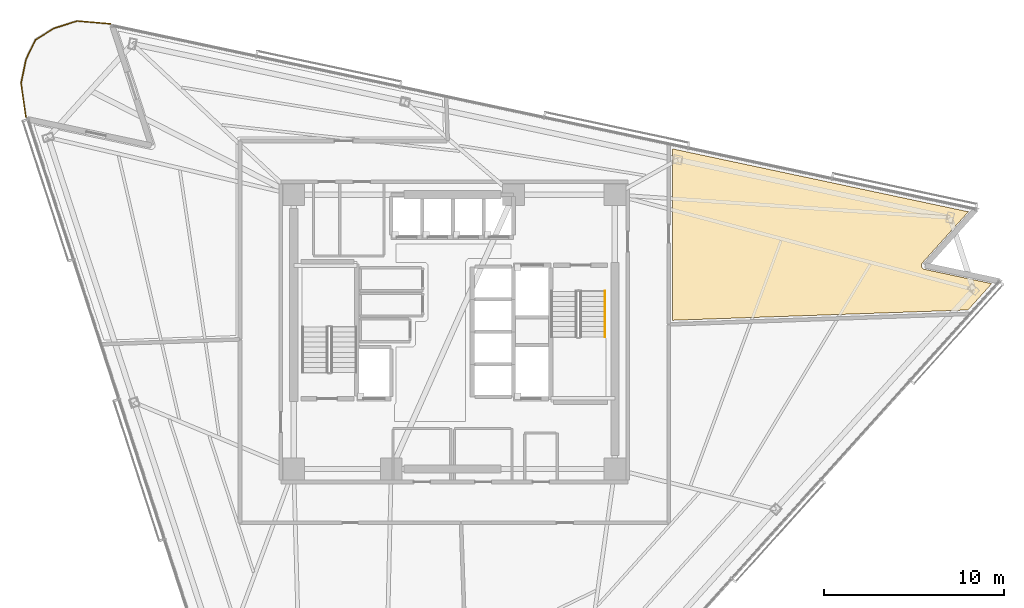
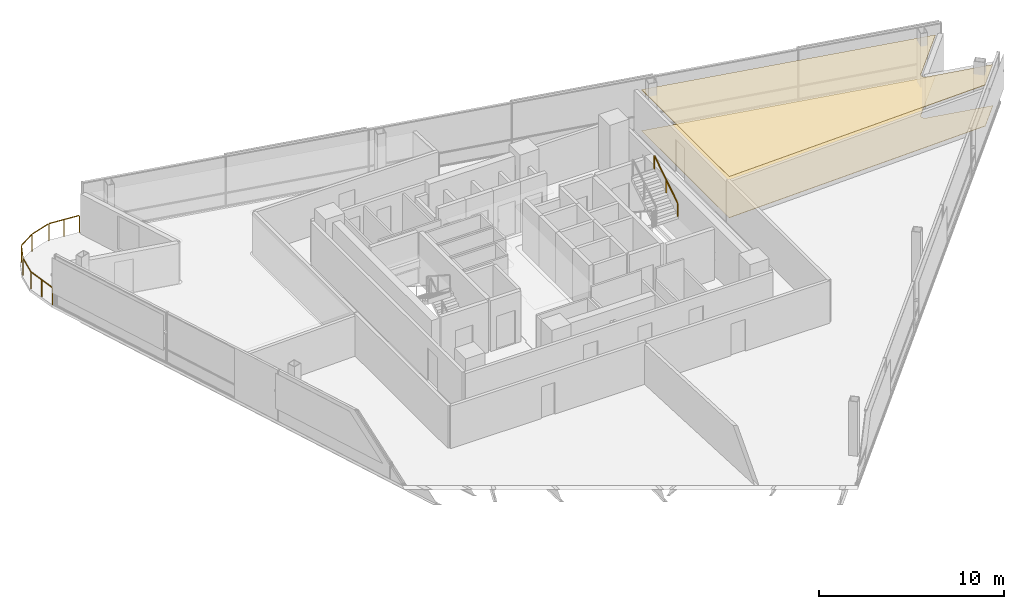
# One storey, part 17 of 17: 2 coverings, 2 railings.
"""IFC4 building model written with IfcOpenShell, lengths in metres."""

from ifc_helpers import new_model, si_unit, direction, frame, origin, origin_2d, place, context, subcontext, project, spatial, polyline, rectangle, outline, extrude, material, layer, layer_set, type_object, element, save


model = new_model("IFC4")

# Units and contexts
model_context = context("Model", 3, precision=1e-05, world=origin(), true_north=direction((0.0, 1.0)))
body_context = subcontext(model_context, "Body", "Model", "MODEL_VIEW")
ifc_project = project(units=[si_unit("LENGTHUNIT", "METRE"), si_unit("AREAUNIT", "SQUARE_METRE"), si_unit("VOLUMEUNIT", "CUBIC_METRE"), si_unit("PLANEANGLEUNIT", "RADIAN"), si_unit("MASSUNIT", "GRAM", prefix="KILO")], contexts=[model_context])

# Site, building, storey
site_placement = place(None, origin())
site = spatial("IfcSite", under=ifc_project, at=site_placement, CompositionType="ELEMENT")
building_placement = place(site_placement, origin())
building = spatial("IfcBuilding", under=site, at=building_placement, Name="Tharavind Bronze Gate", CompositionType="ELEMENT")
storey_placement = place(building_placement, frame((0.0, 0.0, 218.449951171875)))
storey = spatial("IfcBuildingStorey", under=building, at=storey_placement, Name="L56", CompositionType="ELEMENT", Elevation=218.449951171875)

# Coverings
ifc_material_1 = material(Name="Engineered Oak & Carpet Tile", Category="wood")
ifc_layer_1 = layer(ifc_material_1, 0.02490234375)
ifc_layer_set_1 = layer_set([ifc_layer_1], Name="Engineered Oak & Carpet Tile")
covering_type_1 = type_object("IfcCoveringType", Name="ENGINEERED TIMBER FLOORING", PredefinedType="FLOORING", material=ifc_layer_set_1)
covering_1_placement = place(storey_placement, origin())
element("IfcCovering", 1, at=covering_1_placement, inside=storey, type_object=covering_type_1, Name="L56-RM-01 floor finish", PredefinedType="FLOORING", context=body_context, shape_type="SweptSolid", body=[
    extrude(outline(polyline([(12.10009765625, 0.642578125), (28.4658203125, 1.214111328125), (29.781005859375, 2.674560546875), (26.057861328125, 3.466064453125), (26.047119140625, 3.468505859375), (26.04638671875, 3.46875), (26.025634765625, 3.475341796875), (26.005615234375, 3.484130859375), (25.986328125, 3.49462890625), (25.968505859375, 3.50732421875), (25.95166015625, 3.521484375), (25.9365234375, 3.537353515625), (25.923095703125, 3.5546875), (25.911376953125, 3.5732421875), (25.901611328125, 3.5927734375), (25.893798828125, 3.61328125), (25.887939453125, 3.634521484375), (25.884521484375, 3.656005859375), (25.883056640625, 3.677978515625), (25.8837890625, 3.699951171875), (25.88671875, 3.7216796875), (25.891845703125, 3.742919921875), (25.89892578125, 3.763671875), (25.908203125, 3.78369140625), (25.919189453125, 3.802490234375), (25.932373046875, 3.8203125), (25.9326171875, 3.820556640625), (25.939697265625, 3.8291015625), (28.48681640625, 6.65771484375), (12.10009765625, 10.140625), (12.10009765625, 0.642578125)])), origin(), (0.0, 0.0, 1.0), 0.025146484375),
])
ifc_material_2 = material(Name="Acoustic Gypsum Board", Category="gypsum")
ifc_layer_2 = layer(ifc_material_2, 0.030029296875)
ifc_layer_set_2 = layer_set([ifc_layer_2], Name="Acoustic Gypsum Board")
covering_type_2 = type_object("IfcCoveringType", Name="GYPSUM SUSPENDED CEILING", PredefinedType="CEILING", material=ifc_layer_set_2)
covering_2_placement = place(storey_placement, frame((0.0, 0.0, 2.7099609375)))
element("IfcCovering", 2, at=covering_2_placement, inside=storey, type_object=covering_type_2, Name="L56-RM-01 suspended ceiling", PredefinedType="CEILING", context=body_context, shape_type="SweptSolid", body=[
    extrude(outline(polyline([(12.10009765625, 0.642578125), (28.4658203125, 1.214111328125), (29.781005859375, 2.674560546875), (26.057861328125, 3.466064453125), (26.047119140625, 3.468505859375), (26.04638671875, 3.46875), (26.025634765625, 3.475341796875), (26.005615234375, 3.484130859375), (25.986328125, 3.49462890625), (25.968505859375, 3.50732421875), (25.95166015625, 3.521484375), (25.9365234375, 3.537353515625), (25.923095703125, 3.5546875), (25.911376953125, 3.5732421875), (25.901611328125, 3.5927734375), (25.893798828125, 3.61328125), (25.887939453125, 3.634521484375), (25.884521484375, 3.656005859375), (25.883056640625, 3.677978515625), (25.8837890625, 3.699951171875), (25.88671875, 3.7216796875), (25.891845703125, 3.742919921875), (25.89892578125, 3.763671875), (25.908203125, 3.78369140625), (25.919189453125, 3.802490234375), (25.932373046875, 3.8203125), (25.9326171875, 3.820556640625), (25.939697265625, 3.8291015625), (28.48681640625, 6.65771484375), (12.10009765625, 10.140625), (12.10009765625, 0.642578125)])), origin(), (0.0, 0.0, 1.0), 0.03515625),
])

# Railings
ifc_material_3 = material(Name="Brushed Bronze Alloy", Category="metal")
railing_type_1 = type_object("IfcRailingType", Name="STAIR BRONZE HANDRAIL 900", PredefinedType="HANDRAIL", material=ifc_material_3)
railing_1_placement = place(storey_placement, frame((8.35009765625, -0.27001953125, 1.97998046875)))
element("IfcRailing", 3, at=railing_1_placement, inside=storey, type_object=railing_type_1, Name="L56 ST2 stair handrail 2", PredefinedType="HANDRAIL", context=body_context, shape_type="SweptSolid", body=[
    extrude(rectangle(XDim=0.048095703125, YDim=0.048095703125, at=origin_2d()), frame((0.0, 0.02685546875, 0.89306640625), z_axis=(0.0, 0.841162588446, 0.540782303519), x_axis=(-1.0, 0.0, 0.0)), (0.0, 0.0, 1.0), 2.931884765625),
    extrude(rectangle(XDim=0.0400390625, YDim=0.0400390625, at=origin_2d()), origin(), (0.0, 0.0, 1.0), 0.847900390625),
    extrude(rectangle(XDim=0.0400390625, YDim=0.0400390625, at=origin_2d()), frame((0.0, 1.260009765625, 0.81005859375)), (0.0, 0.0, 1.0), 0.847900390625),
    extrude(rectangle(XDim=0.0400390625, YDim=0.0400390625, at=origin_2d()), frame((0.0, 2.52001953125, 1.6201171875)), (0.0, 0.0, 1.0), 0.847900390625),
])
ifc_material_4 = material(Name="Bronze Cap & Laminated Glass", Category="glass")
railing_type_2 = type_object("IfcRailingType", Name="TERRACE GLASS GUARD RAILING 1150", PredefinedType="GUARDRAIL", material=ifc_material_4)
railing_2_placement = place(storey_placement, frame((-23.7490234375, 11.887451171875, 0.0)))
element("IfcRailing", 4, at=railing_2_placement, inside=storey, type_object=railing_type_2, Name="L56 tree balcony guard railing", PredefinedType="GUARDRAIL", context=body_context, shape_type="SweptSolid", body=[
    extrude(rectangle(XDim=0.048095703125, YDim=0.048095703125, at=origin_2d()), frame((-0.00439453125, 0.03173828125, 1.1259765625), z_axis=(-0.1396808932, 0.990196570422, 0.0), x_axis=(-0.990196570422, -0.1396808932, 0.0)), (0.0, 0.0, 1.0), 1.841064453125),
    extrude(rectangle(XDim=0.048095703125, YDim=0.048095703125, at=origin_2d()), frame((-0.259765625, 1.917724609375, 1.1259765625), z_axis=(0.201091111257, 0.979572541966, 0.0), x_axis=(-0.979572541966, 0.201091111257, 0.0)), (0.0, 0.0, 1.0), 1.284912109375),
    extrude(rectangle(XDim=0.048095703125, YDim=0.048095703125, at=origin_2d()), frame((0.01904296875, 3.236572265625, 1.1259765625), z_axis=(0.435566196468, 0.900156702188, 0.0), x_axis=(-0.900156702188, 0.435566196468, 0.0)), (0.0, 0.0, 1.0), 1.147216796875),
    extrude(rectangle(XDim=0.048095703125, YDim=0.048095703125, at=origin_2d()), frame((0.559814453125, 4.31494140625, 1.1259765625), z_axis=(0.849714893769, 0.527242448316, 0.0), x_axis=(-0.527242448316, 0.849714893769, 0.0)), (0.0, 0.0, 1.0), 1.1474609375),
    extrude(rectangle(XDim=0.048095703125, YDim=0.048095703125, at=origin_2d()), frame((1.592529296875, 4.946533203125, 1.1259765625), z_axis=(0.953163202503, 0.302456458675, 0.0), x_axis=(-0.302456458675, 0.953163202503, 0.0)), (0.0, 0.0, 1.0), 1.284912109375),
    extrude(rectangle(XDim=0.048095703125, YDim=0.048095703125, at=origin_2d()), frame((2.879638671875, 5.342041015625, 1.1259765625), z_axis=(0.996289002034, -0.086071042903, 0.0), x_axis=(0.086071042903, 0.996289002034, 0.0)), (0.0, 0.0, 1.0), 1.765625),
    extrude(rectangle(XDim=0.0400390625, YDim=0.0400390625, at=origin_2d()), origin(), (0.0, 0.0, 1.0), 1.097900390625),
    extrude(rectangle(XDim=0.0400390625, YDim=0.0400390625, at=origin_2d()), frame((-0.133056640625, 0.943359375, 0.0)), (0.0, 0.0, 1.0), 1.097900390625),
    extrude(rectangle(XDim=0.0400390625, YDim=0.0400390625, at=origin_2d()), frame((-0.26611328125, 1.886474609375, 0.0)), (0.0, 0.0, 1.0), 1.097900390625),
    extrude(rectangle(XDim=0.0400390625, YDim=0.0400390625, at=origin_2d()), frame((0.005126953125, 3.207763671875, 0.0)), (0.0, 0.0, 1.0), 1.097900390625),
    extrude(rectangle(XDim=0.0400390625, YDim=0.0400390625, at=origin_2d()), frame((0.53271484375, 4.298095703125, 0.0)), (0.0, 0.0, 1.0), 1.097900390625),
    extrude(rectangle(XDim=0.0400390625, YDim=0.0400390625, at=origin_2d()), frame((1.56201171875, 4.936767578125, 0.0)), (0.0, 0.0, 1.0), 1.097900390625),
    extrude(rectangle(XDim=0.0400390625, YDim=0.0400390625, at=origin_2d()), frame((2.84765625, 5.3447265625, 0.0)), (0.0, 0.0, 1.0), 1.097900390625),
    extrude(rectangle(XDim=0.0400390625, YDim=0.0400390625, at=origin_2d()), frame((3.759033203125, 5.26611328125, 0.0)), (0.0, 0.0, 1.0), 1.097900390625),
    extrude(rectangle(XDim=0.0400390625, YDim=0.0400390625, at=origin_2d()), frame((4.67041015625, 5.187255859375, 0.0)), (0.0, 0.0, 1.0), 1.097900390625),
])

save(model, "model.ifc")
